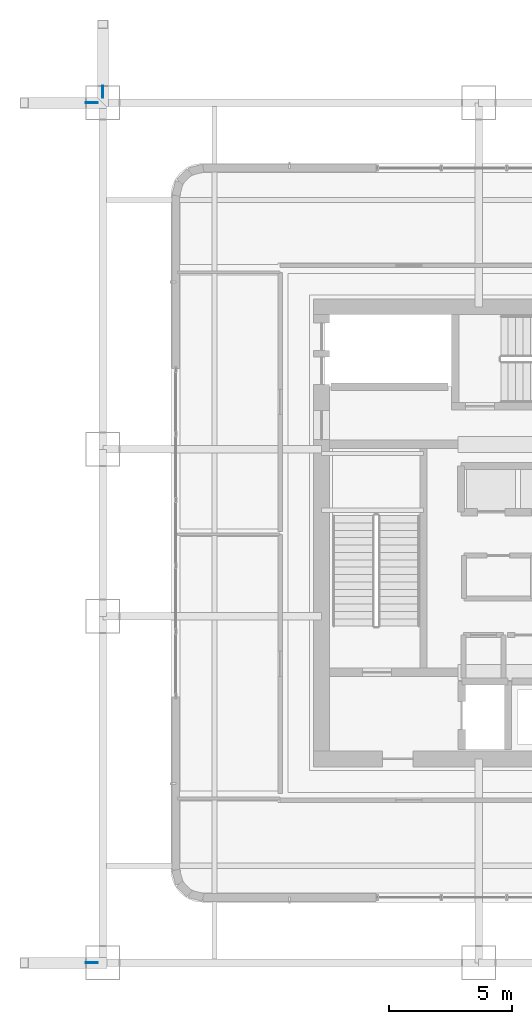
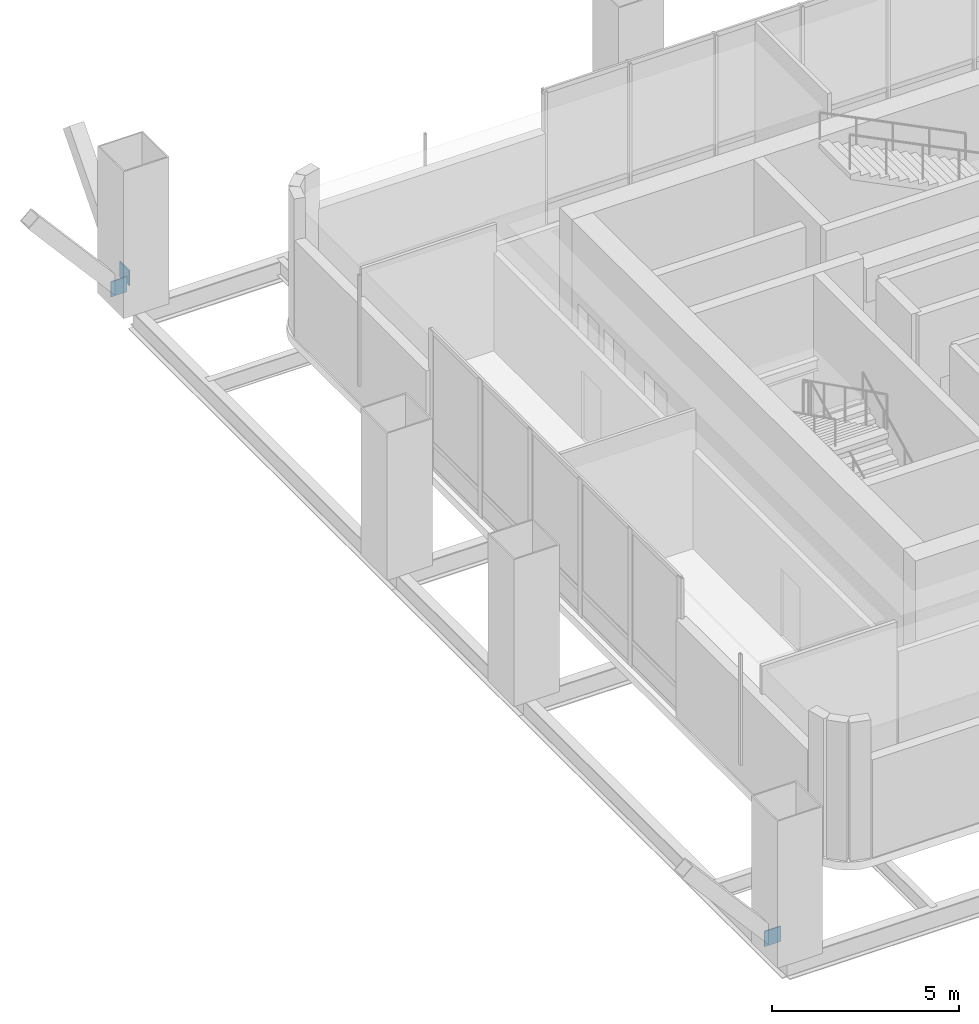
# One storey, part 16 of 30: 3 plates.
"""IFC4 building model written with IfcOpenShell, lengths in metres."""

from ifc_helpers import new_model, si_unit, direction, frame, origin, origin_2d, place, context, subcontext, project, spatial, rectangle, extrude, material, layer, layer_set, type_object, element, save


model = new_model("IFC4")

# Units and contexts
model_context = context("Model", 3, precision=1e-05, world=origin(), true_north=direction((0.0, 1.0)))
body_context = subcontext(model_context, "Body", "Model", "MODEL_VIEW")
ifc_project = project(units=[si_unit("LENGTHUNIT", "METRE"), si_unit("AREAUNIT", "SQUARE_METRE"), si_unit("VOLUMEUNIT", "CUBIC_METRE"), si_unit("PLANEANGLEUNIT", "RADIAN"), si_unit("MASSUNIT", "GRAM", prefix="KILO")], contexts=[model_context])

# Site, building, storey
site_placement = place(None, origin())
site = spatial("IfcSite", under=ifc_project, at=site_placement, CompositionType="ELEMENT")
building_placement = place(site_placement, origin())
building = spatial("IfcBuilding", under=site, at=building_placement, Name="Punatoya Terracotta Tower", CompositionType="ELEMENT")
storey_placement = place(building_placement, frame((0.0, 0.0, 135.0)))
storey = spatial("IfcBuildingStorey", under=building, at=storey_placement, Name="L31", CompositionType="ELEMENT", Elevation=135.0)

# Plates
ifc_material = material(Name="Steel S460", Category="steel")
ifc_layer = layer(ifc_material, 0.031982421875)
ifc_layer_set = layer_set([ifc_layer], Name="Steel S460")
plate_type = type_object("IfcPlateType", Name="PLT-END-32", PredefinedType="USERDEFINED", material=ifc_layer_set)
for number, where, z_axis, x_axis, name in (
    (1, (-19.548095703125, -17.5, 0.2880859375), (0.0, 0.0, 1.0), (1.0, 0.0, 0.0), "L32 Knee-Strut Base Gusset Plate W1"),
    (2, (-19.548095703125, 17.5, 0.2880859375), (0.0, 0.0, 1.0), (1.0, 0.0, 0.0), "L32 Knee-Strut Base Gusset Plate W2"),
    (3, (-19.10009765625, 17.947998046875, 0.2880859375), (0.0, 0.0, 1.0), (0.0, 1.0, 0.0), "L32 Knee-Strut Base Gusset Plate N1"),
):
    element("IfcPlate", number, at=place(storey_placement, frame(where, z_axis=z_axis, x_axis=x_axis)), inside=storey, type_object=plate_type, Name=name, ObjectType="FLANGE_PLATE", PredefinedType="USERDEFINED", context=body_context, shape_type="SweptSolid", body=[
        extrude(rectangle(XDim=0.5, YDim=0.031982421875, at=origin_2d()), origin(), (0.0, 0.0, 1.0), 0.5),
    ])

save(model, "model.ifc")
